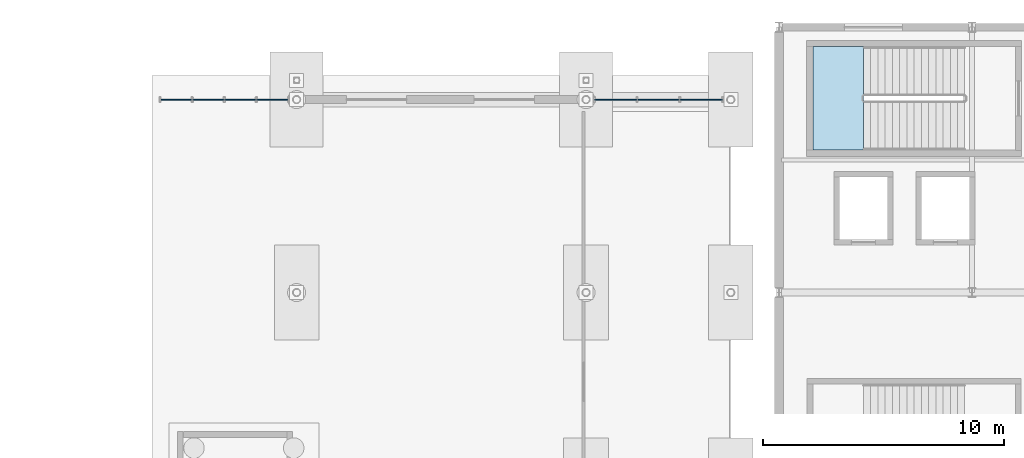
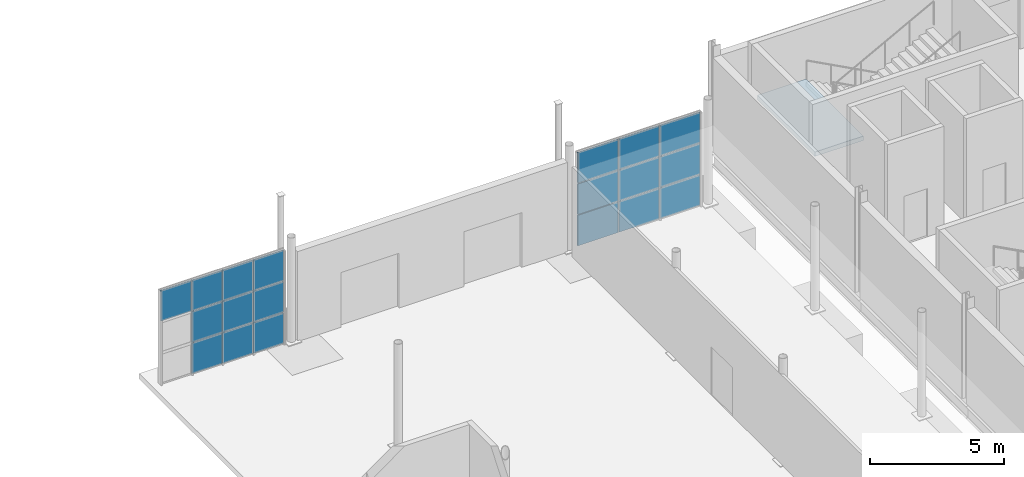
# One storey, part 67 of 101: 19 plates, 1 slab, 3 elements without a shape of their own.
"""IFC4 building model written with IfcOpenShell, lengths in metres."""

from ifc_helpers import new_model, si_unit, derived_unit, direction, frame, origin, origin_2d, place, context, subcontext, project, spatial, polyline, rectangle, outline, extrude, material, layer, layer_set, type_object, element, aggregate, save


model = new_model("IFC4")

# Units and contexts
model_context = context("Model", 3, precision=1e-05, world=origin(), true_north=direction((0.0, 1.0)))
body_context = subcontext(model_context, "Body", "Model", "MODEL_VIEW")
ifc_project = project(units=[si_unit("LENGTHUNIT", "METRE"), si_unit("AREAUNIT", "SQUARE_METRE"), si_unit("VOLUMEUNIT", "CUBIC_METRE"), si_unit("PLANEANGLEUNIT", "RADIAN"), si_unit("MASSUNIT", "GRAM", prefix="KILO"), derived_unit("THERMALTRANSMITTANCEUNIT", [(si_unit("POWERUNIT", "WATT"), 1), (si_unit("LENGTHUNIT", "METRE"), -2), (si_unit("THERMODYNAMICTEMPERATUREUNIT", "KELVIN"), -1)])], contexts=[model_context])

# Site, building, storey
site_placement = place(None, origin())
site = spatial("IfcSite", under=ifc_project, at=site_placement, CompositionType="ELEMENT")
building_placement = place(site_placement, origin())
building = spatial("IfcBuilding", under=site, at=building_placement, Name="Keldorne Ridge Multi-Sports Centre", CompositionType="ELEMENT")
storey_placement = place(building_placement, origin())
storey = spatial("IfcBuildingStorey", under=building, at=storey_placement, Name="L00", CompositionType="ELEMENT", Elevation=0.0)

# Curtain wall, plates
ifc_material_1 = material(Name="Anodized aluminium", Category="aluminium")
curtain_wall_type_1 = type_object("IfcCurtainWallType", Name="CW-CW-06", PredefinedType="NOTDEFINED", material=ifc_material_1)
curtain_wall_1_placement = place(storey_placement, origin())
curtain_wall_1 = element("IfcCurtainWall", 1, at=curtain_wall_1_placement, inside=storey, type_object=curtain_wall_type_1, Name="Public Passage N foyer glazing 078", PredefinedType="NOTDEFINED")
ifc_material_2 = material(Name="Triple acoustic low-e glazing", Category="glass")
ifc_layer_1 = layer(ifc_material_2, 0.0439453125)
ifc_layer_set_1 = layer_set([ifc_layer_1])
plate_type = type_object("IfcPlateType", Name="PLT-GL-02", PredefinedType="CURTAIN_PANEL", material=ifc_layer_set_1)
plate_1_placement = place(storey_placement, frame((100.773193359375, 114.0, 0.02001953125), z_axis=(0.0, 0.0, 1.0), x_axis=(-1.0, 0.0, 0.0)))
plate_1 = element("IfcPlate", 2, at=plate_1_placement, type_object=plate_type, Name="CW-078 glazed panel 1.1", PredefinedType="CURTAIN_PANEL", context=body_context, shape_type="SweptSolid", body=[
    extrude(rectangle(XDim=1.7333984375, YDim=0.0439453125, at=origin_2d()), origin(), (0.0, 0.0, 1.0), 1.393310546875),
])
plate_2_placement = place(storey_placement, frame((100.773193359375, 114.0, 1.453125), z_axis=(0.0, 0.0, 1.0), x_axis=(-1.0, 0.0, 0.0)))
plate_2 = element("IfcPlate", 3, at=plate_2_placement, type_object=plate_type, Name="CW-078 glazed panel 1.2", PredefinedType="CURTAIN_PANEL", context=body_context, shape_type="SweptSolid", body=[
    extrude(rectangle(XDim=1.7333984375, YDim=0.0439453125, at=origin_2d()), origin(), (0.0, 0.0, 1.0), 1.393310546875),
])
plate_3_placement = place(storey_placement, frame((100.773193359375, 114.0, 2.88671875), z_axis=(0.0, 0.0, 1.0), x_axis=(-1.0, 0.0, 0.0)))
plate_3 = element("IfcPlate", 4, at=plate_3_placement, type_object=plate_type, Name="CW-078 glazed panel 1.3", PredefinedType="CURTAIN_PANEL", context=body_context, shape_type="SweptSolid", body=[
    extrude(rectangle(XDim=1.7333984375, YDim=0.0439453125, at=origin_2d()), origin(), (0.0, 0.0, 1.0), 1.393310546875),
])
plate_4_placement = place(storey_placement, frame((99.0, 114.0, 0.02001953125), z_axis=(0.0, 0.0, 1.0), x_axis=(-1.0, 0.0, 0.0)))
plate_4 = element("IfcPlate", 5, at=plate_4_placement, type_object=plate_type, Name="CW-078 glazed panel 2.1", PredefinedType="CURTAIN_PANEL", context=body_context, shape_type="SweptSolid", body=[
    extrude(rectangle(XDim=1.7333984375, YDim=0.0439453125, at=origin_2d()), origin(), (0.0, 0.0, 1.0), 1.393310546875),
])
plate_5_placement = place(storey_placement, frame((99.0, 114.0, 1.453125), z_axis=(0.0, 0.0, 1.0), x_axis=(-1.0, 0.0, 0.0)))
plate_5 = element("IfcPlate", 6, at=plate_5_placement, type_object=plate_type, Name="CW-078 glazed panel 2.2", PredefinedType="CURTAIN_PANEL", context=body_context, shape_type="SweptSolid", body=[
    extrude(rectangle(XDim=1.7333984375, YDim=0.0439453125, at=origin_2d()), origin(), (0.0, 0.0, 1.0), 1.393310546875),
])
plate_6_placement = place(storey_placement, frame((99.0, 114.0, 2.88671875), z_axis=(0.0, 0.0, 1.0), x_axis=(-1.0, 0.0, 0.0)))
plate_6 = element("IfcPlate", 7, at=plate_6_placement, type_object=plate_type, Name="CW-078 glazed panel 2.3", PredefinedType="CURTAIN_PANEL", context=body_context, shape_type="SweptSolid", body=[
    extrude(rectangle(XDim=1.7333984375, YDim=0.0439453125, at=origin_2d()), origin(), (0.0, 0.0, 1.0), 1.393310546875),
])
plate_7_placement = place(storey_placement, frame((97.226806640625, 114.0, 0.02001953125), z_axis=(0.0, 0.0, 1.0), x_axis=(-1.0, 0.0, 0.0)))
plate_7 = element("IfcPlate", 8, at=plate_7_placement, type_object=plate_type, Name="CW-078 glazed panel 3.1", PredefinedType="CURTAIN_PANEL", context=body_context, shape_type="SweptSolid", body=[
    extrude(rectangle(XDim=1.7333984375, YDim=0.0439453125, at=origin_2d()), origin(), (0.0, 0.0, 1.0), 1.393310546875),
])
plate_8_placement = place(storey_placement, frame((97.226806640625, 114.0, 1.453125), z_axis=(0.0, 0.0, 1.0), x_axis=(-1.0, 0.0, 0.0)))
plate_8 = element("IfcPlate", 9, at=plate_8_placement, type_object=plate_type, Name="CW-078 glazed panel 3.2", PredefinedType="CURTAIN_PANEL", context=body_context, shape_type="SweptSolid", body=[
    extrude(rectangle(XDim=1.7333984375, YDim=0.0439453125, at=origin_2d()), origin(), (0.0, 0.0, 1.0), 1.393310546875),
])
plate_9_placement = place(storey_placement, frame((97.226806640625, 114.0, 2.88671875), z_axis=(0.0, 0.0, 1.0), x_axis=(-1.0, 0.0, 0.0)))
plate_9 = element("IfcPlate", 10, at=plate_9_placement, type_object=plate_type, Name="CW-078 glazed panel 3.3", PredefinedType="CURTAIN_PANEL", context=body_context, shape_type="SweptSolid", body=[
    extrude(rectangle(XDim=1.7333984375, YDim=0.0439453125, at=origin_2d()), origin(), (0.0, 0.0, 1.0), 1.393310546875),
])
aggregate(curtain_wall_1, [plate_1, plate_2, plate_3, plate_4, plate_5, plate_6, plate_7, plate_8, plate_9])

curtain_wall_type_2 = type_object("IfcCurtainWallType", Name="CW-CW-01", PredefinedType="NOTDEFINED", material=ifc_material_1)
curtain_wall_2_placement = place(storey_placement, origin())
curtain_wall_2 = element("IfcCurtainWall", 11, at=curtain_wall_2_placement, inside=storey, type_object=curtain_wall_type_2, Name="Public Passage N foyer glazing 081", PredefinedType="NOTDEFINED")
plate_10_placement = place(storey_placement, frame((82.9951171875, 114.0, 0.02001953125), z_axis=(0.0, 0.0, 1.0), x_axis=(-1.0, 0.0, 0.0)))
plate_10 = element("IfcPlate", 12, at=plate_10_placement, type_object=plate_type, Name="CW-081 glazed panel 1.1", PredefinedType="CURTAIN_PANEL", context=body_context, shape_type="SweptSolid", body=[
    extrude(rectangle(XDim=1.2900390625, YDim=0.0439453125, at=origin_2d()), origin(), (0.0, 0.0, 1.0), 1.393310546875),
])
plate_11_placement = place(storey_placement, frame((82.9951171875, 114.0, 1.453125), z_axis=(0.0, 0.0, 1.0), x_axis=(-1.0, 0.0, 0.0)))
plate_11 = element("IfcPlate", 13, at=plate_11_placement, type_object=plate_type, Name="CW-081 glazed panel 1.2", PredefinedType="CURTAIN_PANEL", context=body_context, shape_type="SweptSolid", body=[
    extrude(rectangle(XDim=1.2900390625, YDim=0.0439453125, at=origin_2d()), origin(), (0.0, 0.0, 1.0), 1.393310546875),
])
plate_12_placement = place(storey_placement, frame((82.9951171875, 114.0, 2.88671875), z_axis=(0.0, 0.0, 1.0), x_axis=(-1.0, 0.0, 0.0)))
plate_12 = element("IfcPlate", 14, at=plate_12_placement, type_object=plate_type, Name="CW-081 glazed panel 1.3", PredefinedType="CURTAIN_PANEL", context=body_context, shape_type="SweptSolid", body=[
    extrude(rectangle(XDim=1.2900390625, YDim=0.0439453125, at=origin_2d()), origin(), (0.0, 0.0, 1.0), 1.393310546875),
])
plate_13_placement = place(storey_placement, frame((81.6650390625, 114.0, 0.02001953125), z_axis=(0.0, 0.0, 1.0), x_axis=(-1.0, 0.0, 0.0)))
plate_13 = element("IfcPlate", 15, at=plate_13_placement, type_object=plate_type, Name="CW-081 glazed panel 2.1", PredefinedType="CURTAIN_PANEL", context=body_context, shape_type="SweptSolid", body=[
    extrude(rectangle(XDim=1.2900390625, YDim=0.0439453125, at=origin_2d()), origin(), (0.0, 0.0, 1.0), 1.393310546875),
])
plate_14_placement = place(storey_placement, frame((81.6650390625, 114.0, 1.453125), z_axis=(0.0, 0.0, 1.0), x_axis=(-1.0, 0.0, 0.0)))
plate_14 = element("IfcPlate", 16, at=plate_14_placement, type_object=plate_type, Name="CW-081 glazed panel 2.2", PredefinedType="CURTAIN_PANEL", context=body_context, shape_type="SweptSolid", body=[
    extrude(rectangle(XDim=1.2900390625, YDim=0.0439453125, at=origin_2d()), origin(), (0.0, 0.0, 1.0), 1.393310546875),
])
plate_15_placement = place(storey_placement, frame((81.6650390625, 114.0, 2.88671875), z_axis=(0.0, 0.0, 1.0), x_axis=(-1.0, 0.0, 0.0)))
plate_15 = element("IfcPlate", 17, at=plate_15_placement, type_object=plate_type, Name="CW-081 glazed panel 2.3", PredefinedType="CURTAIN_PANEL", context=body_context, shape_type="SweptSolid", body=[
    extrude(rectangle(XDim=1.2900390625, YDim=0.0439453125, at=origin_2d()), origin(), (0.0, 0.0, 1.0), 1.393310546875),
])
plate_16_placement = place(storey_placement, frame((80.3349609375, 114.0, 0.02001953125), z_axis=(0.0, 0.0, 1.0), x_axis=(-1.0, 0.0, 0.0)))
plate_16 = element("IfcPlate", 18, at=plate_16_placement, type_object=plate_type, Name="CW-081 glazed panel 3.1", PredefinedType="CURTAIN_PANEL", context=body_context, shape_type="SweptSolid", body=[
    extrude(rectangle(XDim=1.2900390625, YDim=0.0439453125, at=origin_2d()), origin(), (0.0, 0.0, 1.0), 1.393310546875),
])
plate_17_placement = place(storey_placement, frame((80.3349609375, 114.0, 1.453125), z_axis=(0.0, 0.0, 1.0), x_axis=(-1.0, 0.0, 0.0)))
plate_17 = element("IfcPlate", 19, at=plate_17_placement, type_object=plate_type, Name="CW-081 glazed panel 3.2", PredefinedType="CURTAIN_PANEL", context=body_context, shape_type="SweptSolid", body=[
    extrude(rectangle(XDim=1.2900390625, YDim=0.0439453125, at=origin_2d()), origin(), (0.0, 0.0, 1.0), 1.393310546875),
])
plate_18_placement = place(storey_placement, frame((80.3349609375, 114.0, 2.88671875), z_axis=(0.0, 0.0, 1.0), x_axis=(-1.0, 0.0, 0.0)))
plate_18 = element("IfcPlate", 20, at=plate_18_placement, type_object=plate_type, Name="CW-081 glazed panel 3.3", PredefinedType="CURTAIN_PANEL", context=body_context, shape_type="SweptSolid", body=[
    extrude(rectangle(XDim=1.2900390625, YDim=0.0439453125, at=origin_2d()), origin(), (0.0, 0.0, 1.0), 1.393310546875),
])
plate_19_placement = place(storey_placement, frame((79.0048828125, 114.0, 2.88671875), z_axis=(0.0, 0.0, 1.0), x_axis=(-1.0, 0.0, 0.0)))
plate_19 = element("IfcPlate", 21, at=plate_19_placement, type_object=plate_type, Name="CW-081 glazed panel 4.3", PredefinedType="CURTAIN_PANEL", context=body_context, shape_type="SweptSolid", body=[
    extrude(rectangle(XDim=1.2900390625, YDim=0.0439453125, at=origin_2d()), origin(), (0.0, 0.0, 1.0), 1.393310546875),
])
aggregate(curtain_wall_2, [plate_10, plate_11, plate_12, plate_13, plate_14, plate_15, plate_16, plate_17, plate_18, plate_19])

# Stair, slab
ifc_material_3 = material(Name="Concrete C35/45", Category="concrete")
stair_type = type_object("IfcStairType", Name="STR-S01", PredefinedType="HALF_TURN_STAIR", material=ifc_material_3)
stair_placement = place(storey_placement, origin())
stair = element("IfcStair", 22, at=stair_placement, inside=storey, type_object=stair_type, Name="L00 North-East Primary Clinical Core C1", PredefinedType="HALF_TURN_STAIR")
ifc_layer_2 = layer(ifc_material_3, 0.199951171875)
ifc_layer_set_2 = layer_set([ifc_layer_2], Name="Concrete C35/45")
slab_type = type_object("IfcSlabType", Name="SLB-LDG-01", PredefinedType="LANDING", material=ifc_layer_set_2)
slab_placement = place(storey_placement, frame((0.0, 0.0, 2.199951171875)))
slab = element("IfcSlab", 23, at=slab_placement, type_object=slab_type, Name="ST-01 landing 1", PredefinedType="LANDING", context=body_context, shape_type="SweptSolid", body=[
    extrude(outline(polyline([(107.5, 116.199951171875), (105.39990234375, 116.199951171875), (105.39990234375, 111.89990234375), (107.5, 111.89990234375), (107.5, 116.199951171875)])), origin(), (0.0, 0.0, 1.0), 0.199951171875),
])
aggregate(stair, [slab])

save(model, "model.ifc")
